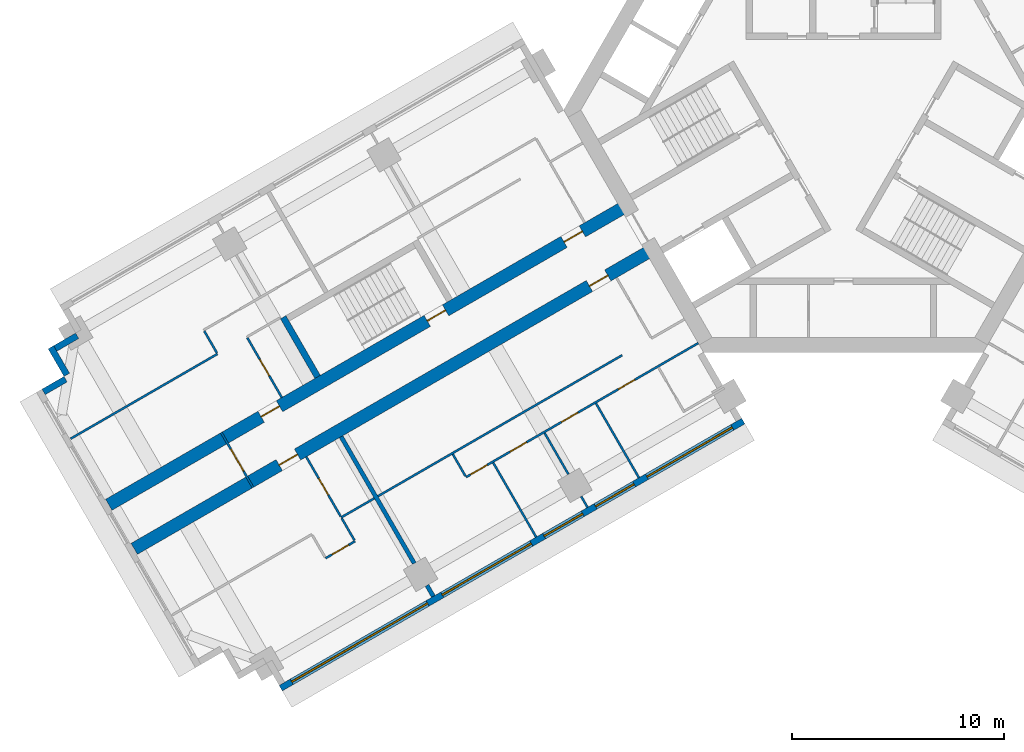
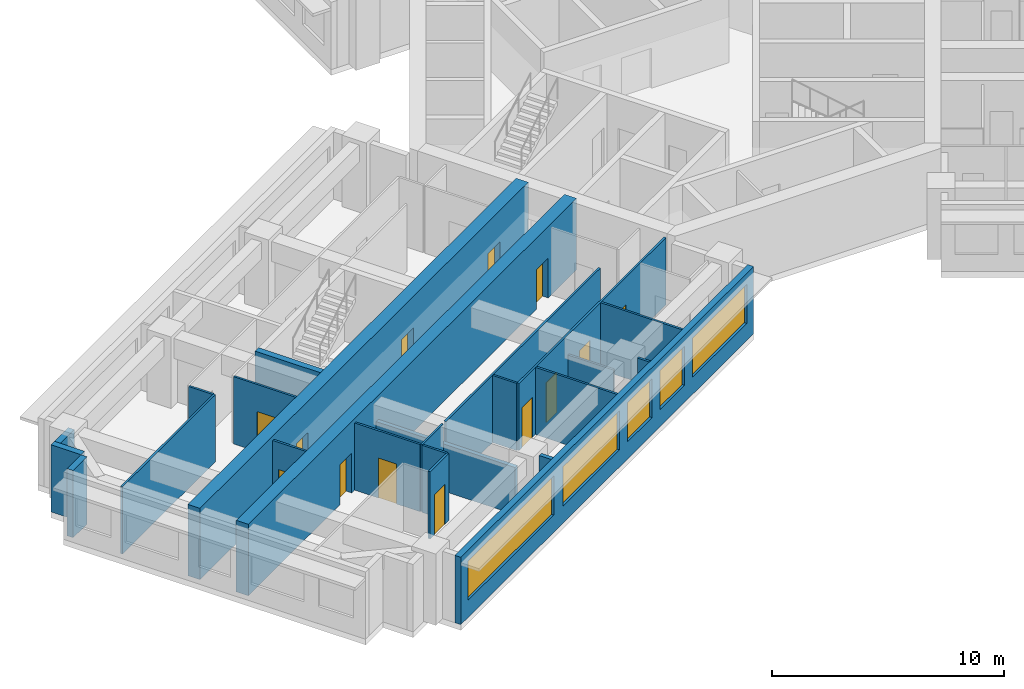
# One storey, part 3 of 12: 24 walls, 13 doors, 5 windows, 18 openings.
"""IFC4 building model written with IfcOpenShell, lengths in metres."""

from ifc_helpers import new_model, si_unit, direction, frame, frame_2d, origin, place, context, subcontext, project, spatial, rectangle, extrude, material, layer, layer_set, type_object, element, fill, save


model = new_model("IFC4")

# Units and contexts
model_context = context("Model", 3, precision=1e-05, world=origin(), true_north=direction((0.0, 1.0)))
body_context = subcontext(model_context, "Body", "Model", "MODEL_VIEW")
ifc_project = project(units=[si_unit("LENGTHUNIT", "METRE"), si_unit("AREAUNIT", "SQUARE_METRE"), si_unit("VOLUMEUNIT", "CUBIC_METRE"), si_unit("PLANEANGLEUNIT", "RADIAN"), si_unit("MASSUNIT", "GRAM", prefix="KILO")], contexts=[model_context])

# Site, building, storey
site_placement = place(None, origin())
site = spatial("IfcSite", under=ifc_project, at=site_placement, CompositionType="ELEMENT")
building_placement = place(site_placement, origin())
building = spatial("IfcBuilding", under=site, at=building_placement, Name="Impinga Residences", CompositionType="ELEMENT")
storey_placement = place(building_placement, frame((0.0, 0.0, 188.5)))
storey = spatial("IfcBuildingStorey", under=building, at=storey_placement, Name="L46", CompositionType="ELEMENT", Elevation=188.5)

# Wall, openings, doors
ifc_material_1 = material(Name="Concrete C60/75", Category="concrete")
ifc_layer_1 = layer(ifc_material_1, 0.60009765625)
ifc_layer_set_1 = layer_set([ifc_layer_1], Name="Concrete C60/75")
wall_type_1 = type_object("IfcWallType", Name="BW3 corridor buttress wall, L46 to L73 600", PredefinedType="SHEAR", material=ifc_layer_set_1)
wall_1_placement = place(storey_placement, frame((-8.996826171875, -6.580078125, 0.0), z_axis=(0.0, 0.0, 1.0), x_axis=(-0.866026415941, -0.499998246889, 0.0)))
wall_1 = element("IfcWall", 1, at=wall_1_placement, inside=storey, type_object=wall_type_1, Name="Corridor wall BW3 WC L46", PredefinedType="SHEAR", context=body_context, shape_type="SweptSolid", body=[
    extrude(rectangle(XDim=28.25, YDim=0.60009765625, at=frame_2d((14.125, 0.0))), origin(), (0.0, 0.0, 1.0), 3.75),
])
opening_1_placement = place(wall_1_placement, frame((2.449951171875, 0.0, 0.0)))
opening_1 = element("IfcOpeningElement", 2, at=opening_1_placement, cuts=wall_1, Name="Opening D1", PredefinedType="OPENING", context=body_context, shape_type="SweptSolid", body=[
    extrude(rectangle(XDim=1.0, YDim=2.10009765625, at=frame_2d((0.5, 1.050048828125))), frame((0.0, 0.31005859375, 0.0), z_axis=(0.0, -1.0, 0.0), x_axis=(1.0, 0.0, 0.0)), (0.0, 0.0, 1.0), 0.6201171875),
])
opening_2_placement = place(wall_1_placement, frame((19.35009765625, 0.0, 0.0)))
opening_2 = element("IfcOpeningElement", 3, at=opening_2_placement, cuts=wall_1, Name="Opening D1", PredefinedType="OPENING", context=body_context, shape_type="SweptSolid", body=[
    extrude(rectangle(XDim=1.0, YDim=2.10009765625, at=frame_2d((0.5, 1.050048828125))), frame((0.0, 0.31005859375, 0.0), z_axis=(0.0, -1.0, 0.0), x_axis=(1.0, 0.0, 0.0)), (0.0, 0.0, 1.0), 0.6201171875),
])
ifc_material_2 = material(Name="Timber door set", Category="wood")
door_type_1 = type_object("IfcDoorType", Name="D1 apartment entrance door 1000x2100", OperationType="SINGLE_SWING_LEFT", PredefinedType="DOOR", material=ifc_material_2)
door_1_placement = place(opening_1_placement, origin())
door_1 = element("IfcDoor", 4, at=door_1_placement, inside=storey, type_object=door_type_1, Name="Apartment L46-WA1 entrance", OperationType="SINGLE_SWING_LEFT", OverallHeight=2.10009765625, OverallWidth=1.0, PredefinedType="DOOR", context=body_context, shape_type="SweptSolid", body=[
    extrude(rectangle(XDim=1.0, YDim=2.10009765625, at=frame_2d((0.5, 1.050048828125))), frame((0.0, 0.02490234375, 0.0), z_axis=(0.0, -1.0, 0.0), x_axis=(1.0, 0.0, 0.0)), (0.0, 0.0, 1.0), 0.050048828125),
])
fill(opening_1, door_1)
door_2_placement = place(opening_2_placement, origin())
door_2 = element("IfcDoor", 5, at=door_2_placement, inside=storey, type_object=door_type_1, Name="Apartment L46-WA2 entrance", OperationType="SINGLE_SWING_RIGHT", OverallHeight=2.10009765625, OverallWidth=1.0, PredefinedType="DOOR", context=body_context, shape_type="SweptSolid", body=[
    extrude(rectangle(XDim=1.0, YDim=2.10009765625, at=frame_2d((0.5, 1.050048828125))), frame((0.0, 0.02490234375, 0.0), z_axis=(0.0, -1.0, 0.0), x_axis=(1.0, 0.0, 0.0)), (0.0, 0.0, 1.0), 0.050048828125),
])
fill(opening_2, door_2)

wall_2_placement = place(storey_placement, frame((-10.19677734375, -4.50146484375, 0.0), z_axis=(0.0, 0.0, 1.0), x_axis=(-0.866026415941, -0.499998246889, 0.0)))
wall_2 = element("IfcWall", 6, at=wall_2_placement, inside=storey, type_object=wall_type_1, Name="Corridor wall BW3 WD L46", PredefinedType="SHEAR", context=body_context, shape_type="SweptSolid", body=[
    extrude(rectangle(XDim=28.25, YDim=0.60009765625, at=frame_2d((14.125, 0.0))), origin(), (0.0, 0.0, 1.0), 3.75),
])
opening_3_placement = place(wall_2_placement, frame((9.89990234375, 0.0, 0.0)))
opening_3 = element("IfcOpeningElement", 7, at=opening_3_placement, cuts=wall_2, Name="Opening D5", PredefinedType="OPENING", context=body_context, shape_type="SweptSolid", body=[
    extrude(rectangle(XDim=1.0, YDim=2.10009765625, at=frame_2d((0.5, 1.050048828125))), frame((0.0, 0.31005859375, 0.0), z_axis=(0.0, -1.0, 0.0), x_axis=(1.0, 0.0, 0.0)), (0.0, 0.0, 1.0), 0.6201171875),
])
opening_4_placement = place(wall_2_placement, frame((2.449951171875, 0.0, 0.0)))
opening_4 = element("IfcOpeningElement", 8, at=opening_4_placement, cuts=wall_2, Name="Opening D1", PredefinedType="OPENING", context=body_context, shape_type="SweptSolid", body=[
    extrude(rectangle(XDim=1.0, YDim=2.10009765625, at=frame_2d((0.5, 1.050048828125))), frame((0.0, 0.31005859375, 0.0), z_axis=(0.0, -1.0, 0.0), x_axis=(1.0, 0.0, 0.0)), (0.0, 0.0, 1.0), 0.6201171875),
])
opening_5_placement = place(wall_2_placement, frame((18.949951171875, 0.0, 0.0)))
opening_5 = element("IfcOpeningElement", 9, at=opening_5_placement, cuts=wall_2, Name="Opening D1", PredefinedType="OPENING", context=body_context, shape_type="SweptSolid", body=[
    extrude(rectangle(XDim=1.0, YDim=2.10009765625, at=frame_2d((0.5, 1.050048828125))), frame((0.0, 0.31005859375, 0.0), z_axis=(0.0, -1.0, 0.0), x_axis=(1.0, 0.0, 0.0)), (0.0, 0.0, 1.0), 0.6201171875),
])
door_3_placement = place(opening_4_placement, origin())
door_3 = element("IfcDoor", 10, at=door_3_placement, inside=storey, type_object=door_type_1, Name="Apartment L46-WF1 entrance", OperationType="SINGLE_SWING_LEFT", OverallHeight=2.10009765625, OverallWidth=1.0, PredefinedType="DOOR", context=body_context, shape_type="SweptSolid", body=[
    extrude(rectangle(XDim=1.0, YDim=2.10009765625, at=frame_2d((0.5, 1.050048828125))), frame((0.0, 0.02490234375, 0.0), z_axis=(0.0, -1.0, 0.0), x_axis=(1.0, 0.0, 0.0)), (0.0, 0.0, 1.0), 0.050048828125),
])
fill(opening_4, door_3)
door_4_placement = place(opening_5_placement, origin())
door_4 = element("IfcDoor", 11, at=door_4_placement, inside=storey, type_object=door_type_1, Name="Apartment L46-WF2 entrance", OperationType="SINGLE_SWING_RIGHT", OverallHeight=2.10009765625, OverallWidth=1.0, PredefinedType="DOOR", context=body_context, shape_type="SweptSolid", body=[
    extrude(rectangle(XDim=1.0, YDim=2.10009765625, at=frame_2d((0.5, 1.050048828125))), frame((0.0, 0.02490234375, 0.0), z_axis=(0.0, -1.0, 0.0), x_axis=(1.0, 0.0, 0.0)), (0.0, 0.0, 1.0), 0.050048828125),
])
fill(opening_5, door_4)
door_type_2 = type_object("IfcDoorType", Name="D5 stair door 1000x2100", OperationType="SINGLE_SWING_LEFT", PredefinedType="DOOR", material=ifc_material_2)
door_5_placement = place(opening_3_placement, origin())
door_5 = element("IfcDoor", 12, at=door_5_placement, inside=storey, type_object=door_type_2, Name="Wing stair door W", OperationType="SINGLE_SWING_LEFT", OverallHeight=2.10009765625, OverallWidth=1.0, PredefinedType="DOOR", context=body_context, shape_type="SweptSolid", body=[
    extrude(rectangle(XDim=1.0, YDim=2.10009765625, at=frame_2d((0.5, 1.050048828125))), frame((0.0, 0.02490234375, 0.0), z_axis=(0.0, -1.0, 0.0), x_axis=(1.0, 0.0, 0.0)), (0.0, 0.0, 1.0), 0.050048828125),
])
fill(opening_3, door_5)

# Wall, opening, door
ifc_material_3 = material(Name="Concrete blockwork", Category="masonry")
ifc_layer_2 = layer(ifc_material_3, 0.10009765625)
ifc_layer_set_2 = layer_set([ifc_layer_2], Name="CP1 core room partition, blockwork 100")
wall_type_2 = type_object("IfcWallType", Name="CP1 core room partition, blockwork 100", PredefinedType="PARTITIONING", material=ifc_layer_set_2)
wall_3_placement = place(storey_placement, frame((-27.856201171875, -17.814697265625, 0.0), z_axis=(0.0, 0.0, 1.0), x_axis=(-0.50002537861, 0.866010750942, 0.0)))
wall_3 = element("IfcWall", 13, at=wall_3_placement, inside=storey, type_object=wall_type_2, Name="Core room partition, blockwork L46:W:LNG", PredefinedType="PARTITIONING", context=body_context, shape_type="SweptSolid", body=[
    extrude(rectangle(XDim=2.999755859375, YDim=0.10009765625, at=frame_2d((1.5, 0.0))), origin(), (0.0, 0.0, 1.0), 3.530029296875),
])
opening_6_placement = place(wall_3_placement, frame((0.89990234375, 0.0, 0.0)))
opening_6 = element("IfcOpeningElement", 14, at=opening_6_placement, cuts=wall_3, Name="Opening D3", PredefinedType="OPENING", context=body_context, shape_type="SweptSolid", body=[
    extrude(rectangle(XDim=1.199951171875, YDim=2.10009765625, at=frame_2d((0.60009765625, 1.050048828125))), frame((0.0, 0.06005859375, 0.0), z_axis=(0.0, -1.0, 0.0), x_axis=(1.0, 0.0, 0.0)), (0.0, 0.0, 1.0), 0.1201171875),
])
door_type_3 = type_object("IfcDoorType", Name="D3 room door, leaf and a half 1200x2100", OperationType="DOUBLE_SWING_LEFT", PredefinedType="DOOR", material=ifc_material_2)
door_6_placement = place(opening_6_placement, origin())
door_6 = element("IfcDoor", 15, at=door_6_placement, inside=storey, type_object=door_type_3, Name="Residents' lounge door W", OperationType="DOUBLE_SWING_LEFT", OverallHeight=2.10009765625, OverallWidth=1.199951171875, PredefinedType="DOOR", context=body_context, shape_type="SweptSolid", body=[
    extrude(rectangle(XDim=1.199951171875, YDim=2.10009765625, at=frame_2d((0.60009765625, 1.050048828125))), frame((0.0, 0.02490234375, 0.0), z_axis=(0.0, -1.0, 0.0), x_axis=(1.0, 0.0, 0.0)), (0.0, 0.0, 1.0), 0.050048828125),
])
fill(opening_6, door_6)

# Walls
ifc_material_4 = material(Name="Terracotta rainscreen on blockwork", Category="masonry")
ifc_layer_3 = layer(ifc_material_4, 0.300048828125)
ifc_layer_set_3 = layer_set([ifc_layer_3], Name="EW1 external wall, terracotta rainscreen on blockwork 300")
wall_type_3 = type_object("IfcWallType", Name="EW1 external wall, terracotta rainscreen on blockwork 300", PredefinedType="SOLIDWALL", material=ifc_layer_set_3)
wall_4_placement = place(storey_placement, frame((-37.737060546875, -13.300537109375, 0.0), z_axis=(0.0, 0.0, 1.0), x_axis=(0.865971243484, 0.500093796661, 0.0)))
element("IfcWall", 16, at=wall_4_placement, inside=storey, type_object=wall_type_3, Name="External wall EW1 L46", PredefinedType="SOLIDWALL", context=body_context, shape_type="SweptSolid", body=[
    extrude(rectangle(XDim=1.195068359375, YDim=0.300048828125, at=frame_2d((0.59765625, 0.0))), origin(), (0.0, 0.0, 1.0), 3.530029296875),
])
wall_5_placement = place(storey_placement, frame((-36.64306640625, -12.49560546875, 0.0), z_axis=(0.0, 0.0, 1.0), x_axis=(-0.499990139034, 0.866031096941, 0.0)))
element("IfcWall", 17, at=wall_5_placement, inside=storey, type_object=wall_type_3, Name="External wall EW1 L46", PredefinedType="SOLIDWALL", context=body_context, shape_type="SweptSolid", body=[
    extrude(rectangle(XDim=1.5, YDim=0.300048828125, at=frame_2d((0.75, 0.0))), origin(), (0.0, 0.0, 1.0), 3.530029296875),
])
wall_6_placement = place(storey_placement, frame((-37.18798828125, -11.25146484375, 0.0), z_axis=(0.0, 0.0, 1.0), x_axis=(0.866059708757, 0.499940577336, 0.0)))
element("IfcWall", 18, at=wall_6_placement, inside=storey, type_object=wall_type_3, Name="External wall EW1 L46", PredefinedType="SOLIDWALL", context=body_context, shape_type="SweptSolid", body=[
    extrude(rectangle(XDim=1.195068359375, YDim=0.300048828125, at=frame_2d((0.59765625, 0.0))), origin(), (0.0, 0.0, 1.0), 3.530029296875),
])

# Wall, openings, windows
wall_7_placement = place(storey_placement, frame((-4.72509765625, -14.67919921875, 0.0), z_axis=(0.0, 0.0, 1.0), x_axis=(-0.866026832479, -0.499997525421, 0.0)))
wall_7 = element("IfcWall", 19, at=wall_7_placement, inside=storey, type_object=wall_type_3, Name="External wall EW1 L46", PredefinedType="SOLIDWALL", context=body_context, shape_type="SweptSolid", body=[
    extrude(rectangle(XDim=25.199951171875, YDim=0.300048828125, at=frame_2d((12.60009765625, 0.0))), origin(), (0.0, 0.0, 1.0), 3.530029296875),
])
opening_7_placement = place(wall_7_placement, frame((0.60009765625, 0.0, 0.89990234375)))
opening_7 = element("IfcOpeningElement", 20, at=opening_7_placement, cuts=wall_7, Name="Opening W10", PredefinedType="OPENING", context=body_context, shape_type="SweptSolid", body=[
    extrude(rectangle(XDim=4.64990234375, YDim=2.050048828125, at=frame_2d((2.324951171875, 1.02490234375))), frame((0.0, 0.159912109375, 0.0), z_axis=(0.0, -1.0, 0.0), x_axis=(1.0, 0.0, 0.0)), (0.0, 0.0, 1.0), 0.320068359375),
])
opening_8_placement = place(wall_7_placement, frame((5.949951171875, 0.0, 0.89990234375)))
opening_8 = element("IfcOpeningElement", 21, at=opening_8_placement, cuts=wall_7, Name="Opening W9", PredefinedType="OPENING", context=body_context, shape_type="SweptSolid", body=[
    extrude(rectangle(XDim=2.10009765625, YDim=2.050048828125, at=frame_2d((1.050048828125, 1.02490234375))), frame((0.0, 0.159912109375, 0.0), z_axis=(0.0, -1.0, 0.0), x_axis=(1.0, 0.0, 0.0)), (0.0, 0.0, 1.0), 0.320068359375),
])
opening_9_placement = place(wall_7_placement, frame((8.75, 0.0, 0.89990234375)))
opening_9 = element("IfcOpeningElement", 22, at=opening_9_placement, cuts=wall_7, Name="Opening W9", PredefinedType="OPENING", context=body_context, shape_type="SweptSolid", body=[
    extrude(rectangle(XDim=2.10009765625, YDim=2.050048828125, at=frame_2d((1.050048828125, 1.02490234375))), frame((0.0, 0.159912109375, 0.0), z_axis=(0.0, -1.0, 0.0), x_axis=(1.0, 0.0, 0.0)), (0.0, 0.0, 1.0), 0.320068359375),
])
opening_10_placement = place(wall_7_placement, frame((11.550048828125, 0.0, 0.89990234375)))
opening_10 = element("IfcOpeningElement", 23, at=opening_10_placement, cuts=wall_7, Name="Opening W6", PredefinedType="OPENING", context=body_context, shape_type="SweptSolid", body=[
    extrude(rectangle(XDim=4.85009765625, YDim=2.050048828125, at=frame_2d((2.425048828125, 1.02490234375))), frame((0.0, 0.159912109375, 0.0), z_axis=(0.0, -1.0, 0.0), x_axis=(1.0, 0.0, 0.0)), (0.0, 0.0, 1.0), 0.320068359375),
])
opening_11_placement = place(wall_7_placement, frame((17.199951171875, 0.0, 0.89990234375)))
opening_11 = element("IfcOpeningElement", 24, at=opening_11_placement, cuts=wall_7, Name="Opening W12", PredefinedType="OPENING", context=body_context, shape_type="SweptSolid", body=[
    extrude(rectangle(XDim=7.39990234375, YDim=2.050048828125, at=frame_2d((3.699951171875, 1.02490234375))), frame((0.0, 0.159912109375, 0.0), z_axis=(0.0, -1.0, 0.0), x_axis=(1.0, 0.0, 0.0)), (0.0, 0.0, 1.0), 0.320068359375),
])
ifc_material_5 = material(Name="Aluminium window, clear double glazing", Category="aluminium")
window_type_1 = type_object("IfcWindowType", Name="W10 ribbon window 4650x2050", PartitioningType="SINGLE_PANEL", PredefinedType="WINDOW", material=ifc_material_5)
window_1_placement = place(opening_7_placement, origin())
window_1 = element("IfcWindow", 25, at=window_1_placement, inside=storey, type_object=window_type_1, Name="Window L46", OverallHeight=2.050048828125, OverallWidth=4.64990234375, PartitioningType="SINGLE_PANEL", PredefinedType="WINDOW", context=body_context, shape_type="SweptSolid", body=[
    extrude(rectangle(XDim=4.64990234375, YDim=2.050048828125, at=frame_2d((2.324951171875, 1.02490234375))), frame((0.0, 0.030029296875, 0.0), z_axis=(0.0, -1.0, 0.0), x_axis=(1.0, 0.0, 0.0)), (0.0, 0.0, 1.0), 0.06005859375),
])
fill(opening_7, window_1)
window_type_2 = type_object("IfcWindowType", Name="W12 ribbon window 7400x2050", PartitioningType="SINGLE_PANEL", PredefinedType="WINDOW", material=ifc_material_5)
window_2_placement = place(opening_11_placement, origin())
window_2 = element("IfcWindow", 26, at=window_2_placement, inside=storey, type_object=window_type_2, Name="Window L46", OverallHeight=2.050048828125, OverallWidth=7.39990234375, PartitioningType="SINGLE_PANEL", PredefinedType="WINDOW", context=body_context, shape_type="SweptSolid", body=[
    extrude(rectangle(XDim=7.39990234375, YDim=2.050048828125, at=frame_2d((3.699951171875, 1.02490234375))), frame((0.0, 0.030029296875, 0.0), z_axis=(0.0, -1.0, 0.0), x_axis=(1.0, 0.0, 0.0)), (0.0, 0.0, 1.0), 0.06005859375),
])
fill(opening_11, window_2)
window_type_3 = type_object("IfcWindowType", Name="W6 ribbon window 4850x2050", PartitioningType="SINGLE_PANEL", PredefinedType="WINDOW", material=ifc_material_5)
window_3_placement = place(opening_10_placement, origin())
window_3 = element("IfcWindow", 27, at=window_3_placement, inside=storey, type_object=window_type_3, Name="Window L46", OverallHeight=2.050048828125, OverallWidth=4.85009765625, PartitioningType="SINGLE_PANEL", PredefinedType="WINDOW", context=body_context, shape_type="SweptSolid", body=[
    extrude(rectangle(XDim=4.85009765625, YDim=2.050048828125, at=frame_2d((2.425048828125, 1.02490234375))), frame((0.0, 0.030029296875, 0.0), z_axis=(0.0, -1.0, 0.0), x_axis=(1.0, 0.0, 0.0)), (0.0, 0.0, 1.0), 0.06005859375),
])
fill(opening_10, window_3)
window_type_4 = type_object("IfcWindowType", Name="W9 ribbon window 2100x2050", PartitioningType="SINGLE_PANEL", PredefinedType="WINDOW", material=ifc_material_5)
window_4_placement = place(opening_8_placement, origin())
window_4 = element("IfcWindow", 28, at=window_4_placement, inside=storey, type_object=window_type_4, Name="Window L46", OverallHeight=2.050048828125, OverallWidth=2.10009765625, PartitioningType="SINGLE_PANEL", PredefinedType="WINDOW", context=body_context, shape_type="SweptSolid", body=[
    extrude(rectangle(XDim=2.10009765625, YDim=2.050048828125, at=frame_2d((1.050048828125, 1.02490234375))), frame((0.0, 0.030029296875, 0.0), z_axis=(0.0, -1.0, 0.0), x_axis=(1.0, 0.0, 0.0)), (0.0, 0.0, 1.0), 0.06005859375),
])
fill(opening_8, window_4)
window_5_placement = place(opening_9_placement, origin())
window_5 = element("IfcWindow", 29, at=window_5_placement, inside=storey, type_object=window_type_4, Name="Window L46", OverallHeight=2.050048828125, OverallWidth=2.10009765625, PartitioningType="SINGLE_PANEL", PredefinedType="WINDOW", context=body_context, shape_type="SweptSolid", body=[
    extrude(rectangle(XDim=2.10009765625, YDim=2.050048828125, at=frame_2d((1.050048828125, 1.02490234375))), frame((0.0, 0.030029296875, 0.0), z_axis=(0.0, -1.0, 0.0), x_axis=(1.0, 0.0, 0.0)), (0.0, 0.0, 1.0), 0.06005859375),
])
fill(opening_9, window_5)

# Wall
ifc_material_6 = material(Name="Gypsum board on steel studs", Category="steel")
ifc_layer_4 = layer(ifc_material_6, 0.10009765625)
ifc_layer_set_4 = layer_set([ifc_layer_4], Name="Gypsum board on steel studs")
wall_type_4 = type_object("IfcWallType", Name="IP1 partition 100", PredefinedType="PARTITIONING", material=ifc_layer_set_4)
wall_8_placement = place(storey_placement, frame((-10.444580078125, -11.57275390625, 0.0), z_axis=(0.0, 0.0, 1.0), x_axis=(-0.866027239912, -0.49999681972, 0.0)))
element("IfcWall", 30, at=wall_8_placement, inside=storey, type_object=wall_type_4, Name="Partition L46-WA1:DIV1", PredefinedType="PARTITIONING", context=body_context, shape_type="SweptSolid", body=[
    extrude(rectangle(XDim=13.2998046875, YDim=0.10009765625, at=frame_2d((6.64990234375, 0.0))), origin(), (0.0, 0.0, 1.0), 3.530029296875),
])

# Wall, openings, doors
wall_9_placement = place(storey_placement, frame((-6.85009765625, -10.99853515625, 0.0), z_axis=(0.0, 0.0, 1.0), x_axis=(-0.866024244478, -0.500002007972, 0.0)))
wall_9 = element("IfcWall", 31, at=wall_9_placement, inside=storey, type_object=wall_type_4, Name="Partition L46-WA1:STRIP", PredefinedType="PARTITIONING", context=body_context, shape_type="SweptSolid", body=[
    extrude(rectangle(XDim=12.64990234375, YDim=0.10009765625, at=frame_2d((6.324951171875, 0.0))), origin(), (0.0, 0.0, 1.0), 3.530029296875),
])
opening_12_placement = place(wall_9_placement, frame((3.449951171875, 0.0, 0.0)))
opening_12 = element("IfcOpeningElement", 32, at=opening_12_placement, cuts=wall_9, Name="Opening D2", PredefinedType="OPENING", context=body_context, shape_type="SweptSolid", body=[
    extrude(rectangle(XDim=0.89990234375, YDim=2.10009765625, at=frame_2d((0.449951171875, 1.050048828125))), frame((0.0, 0.06005859375, 0.0), z_axis=(0.0, -1.0, 0.0), x_axis=(1.0, 0.0, 0.0)), (0.0, 0.0, 1.0), 0.1201171875),
])
opening_13_placement = place(wall_9_placement, frame((6.550048828125, 0.0, 0.0)))
opening_13 = element("IfcOpeningElement", 33, at=opening_13_placement, cuts=wall_9, Name="Opening D2", PredefinedType="OPENING", context=body_context, shape_type="SweptSolid", body=[
    extrude(rectangle(XDim=0.89990234375, YDim=2.10009765625, at=frame_2d((0.449951171875, 1.050048828125))), frame((0.0, 0.06005859375, 0.0), z_axis=(0.0, -1.0, 0.0), x_axis=(1.0, 0.0, 0.0)), (0.0, 0.0, 1.0), 0.1201171875),
])
opening_14_placement = place(wall_9_placement, frame((9.35009765625, 0.0, 0.0)))
opening_14 = element("IfcOpeningElement", 34, at=opening_14_placement, cuts=wall_9, Name="Opening D2", PredefinedType="OPENING", context=body_context, shape_type="SweptSolid", body=[
    extrude(rectangle(XDim=0.89990234375, YDim=2.10009765625, at=frame_2d((0.449951171875, 1.050048828125))), frame((0.0, 0.06005859375, 0.0), z_axis=(0.0, -1.0, 0.0), x_axis=(1.0, 0.0, 0.0)), (0.0, 0.0, 1.0), 0.1201171875),
])
opening_15_placement = place(wall_9_placement, frame((11.5, 0.0, 0.0)))
opening_15 = element("IfcOpeningElement", 35, at=opening_15_placement, cuts=wall_9, Name="Opening D2", PredefinedType="OPENING", context=body_context, shape_type="SweptSolid", body=[
    extrude(rectangle(XDim=0.89990234375, YDim=2.10009765625, at=frame_2d((0.449951171875, 1.050048828125))), frame((0.0, 0.06005859375, 0.0), z_axis=(0.0, -1.0, 0.0), x_axis=(1.0, 0.0, 0.0)), (0.0, 0.0, 1.0), 0.1201171875),
])
door_type_4 = type_object("IfcDoorType", Name="D2 internal door 900x2100", OperationType="SINGLE_SWING_LEFT", PredefinedType="DOOR", material=ifc_material_2)
door_7_placement = place(opening_12_placement, origin())
door_7 = element("IfcDoor", 36, at=door_7_placement, inside=storey, type_object=door_type_4, Name="Apartment L46-WA1 room door", OperationType="SINGLE_SWING_LEFT", OverallHeight=2.10009765625, OverallWidth=0.89990234375, PredefinedType="DOOR", context=body_context, shape_type="SweptSolid", body=[
    extrude(rectangle(XDim=0.89990234375, YDim=2.10009765625, at=frame_2d((0.449951171875, 1.050048828125))), frame((0.0, 0.02490234375, 0.0), z_axis=(0.0, -1.0, 0.0), x_axis=(1.0, 0.0, 0.0)), (0.0, 0.0, 1.0), 0.050048828125),
])
fill(opening_12, door_7)
door_8_placement = place(opening_13_placement, origin())
door_8 = element("IfcDoor", 37, at=door_8_placement, inside=storey, type_object=door_type_4, Name="Apartment L46-WA1 room door", OperationType="SINGLE_SWING_RIGHT", OverallHeight=2.10009765625, OverallWidth=0.89990234375, PredefinedType="DOOR", context=body_context, shape_type="SweptSolid", body=[
    extrude(rectangle(XDim=0.89990234375, YDim=2.10009765625, at=frame_2d((0.449951171875, 1.050048828125))), frame((0.0, 0.02490234375, 0.0), z_axis=(0.0, -1.0, 0.0), x_axis=(1.0, 0.0, 0.0)), (0.0, 0.0, 1.0), 0.050048828125),
])
fill(opening_13, door_8)
door_9_placement = place(opening_14_placement, origin())
door_9 = element("IfcDoor", 38, at=door_9_placement, inside=storey, type_object=door_type_4, Name="Apartment L46-WA1 room door", OperationType="SINGLE_SWING_RIGHT", OverallHeight=2.10009765625, OverallWidth=0.89990234375, PredefinedType="DOOR", context=body_context, shape_type="SweptSolid", body=[
    extrude(rectangle(XDim=0.89990234375, YDim=2.10009765625, at=frame_2d((0.449951171875, 1.050048828125))), frame((0.0, 0.02490234375, 0.0), z_axis=(0.0, -1.0, 0.0), x_axis=(1.0, 0.0, 0.0)), (0.0, 0.0, 1.0), 0.050048828125),
])
fill(opening_14, door_9)
door_10_placement = place(opening_15_placement, origin())
door_10 = element("IfcDoor", 39, at=door_10_placement, inside=storey, type_object=door_type_4, Name="Apartment L46-WA1 room door", OperationType="SINGLE_SWING_RIGHT", OverallHeight=2.10009765625, OverallWidth=0.89990234375, PredefinedType="DOOR", context=body_context, shape_type="SweptSolid", body=[
    extrude(rectangle(XDim=0.89990234375, YDim=2.10009765625, at=frame_2d((0.449951171875, 1.050048828125))), frame((0.0, 0.02490234375, 0.0), z_axis=(0.0, -1.0, 0.0), x_axis=(1.0, 0.0, 0.0)), (0.0, 0.0, 1.0), 0.050048828125),
])
fill(opening_15, door_10)

# Walls
wall_10_placement = place(storey_placement, frame((-18.43017578125, -16.240966796875, 0.0), z_axis=(0.0, 0.0, 1.0), x_axis=(0.499880961361, -0.866094119867, 0.0)))
element("IfcWall", 40, at=wall_10_placement, inside=storey, type_object=wall_type_4, Name="Partition L46-WA1:SE1", PredefinedType="PARTITIONING", context=body_context, shape_type="SweptSolid", body=[
    extrude(rectangle(XDim=1.199951171875, YDim=0.10009765625, at=frame_2d((0.60009765625, 0.0))), origin(), (0.0, 0.0, 1.0), 3.530029296875),
])
wall_11_placement = place(storey_placement, frame((-11.6748046875, -13.841796875, 0.0), z_axis=(0.0, 0.0, 1.0), x_axis=(0.500035537042, -0.866004885491, 0.0)))
element("IfcWall", 41, at=wall_11_placement, inside=storey, type_object=wall_type_4, Name="Partition L46-WA1:OB1", PredefinedType="PARTITIONING", context=body_context, shape_type="SweptSolid", body=[
    extrude(rectangle(XDim=4.050048828125, YDim=0.10009765625, at=frame_2d((2.02490234375, 0.0))), origin(), (0.0, 0.0, 1.0), 3.530029296875),
])
wall_12_placement = place(storey_placement, frame((-14.099609375, -15.241943359375, 0.0), z_axis=(0.0, 0.0, 1.0), x_axis=(0.500013631625, -0.866017533419, 0.0)))
element("IfcWall", 42, at=wall_12_placement, inside=storey, type_object=wall_type_4, Name="Partition L46-WA1:OB2", PredefinedType="PARTITIONING", context=body_context, shape_type="SweptSolid", body=[
    extrude(rectangle(XDim=2.25, YDim=0.10009765625, at=frame_2d((1.125, 0.0))), origin(), (0.0, 0.0, 1.0), 2.47998046875),
])
wall_13_placement = place(storey_placement, frame((-12.37451171875, -18.2294921875, 0.0), z_axis=(0.0, 0.0, 1.0), x_axis=(0.499640263761, -0.866232998003, 0.0)))
element("IfcWall", 43, at=wall_13_placement, inside=storey, type_object=wall_type_4, Name="Partition L46-WA1:OB2b", PredefinedType="PARTITIONING", context=body_context, shape_type="SweptSolid", body=[
    extrude(rectangle(XDim=0.60009765625, YDim=0.10009765625, at=frame_2d((0.300048828125, 0.0))), origin(), (0.0, 0.0, 1.0), 3.530029296875),
])
wall_14_placement = place(storey_placement, frame((-16.5244140625, -16.641845703125, 0.0), z_axis=(0.0, 0.0, 1.0), x_axis=(0.499990325971, -0.866030989016, 0.0)))
element("IfcWall", 44, at=wall_14_placement, inside=storey, type_object=wall_type_4, Name="Partition L46-WA1:OB3", PredefinedType="PARTITIONING", context=body_context, shape_type="SweptSolid", body=[
    extrude(rectangle(XDim=4.0498046875, YDim=0.10009765625, at=frame_2d((2.02490234375, 0.0))), origin(), (0.0, 0.0, 1.0), 3.530029296875),
])
wall_15_placement = place(storey_placement, frame((-22.1357421875, -18.32275390625, 0.0), z_axis=(0.0, 0.0, 1.0), x_axis=(-0.866047807691, -0.499961193289, 0.0)))
element("IfcWall", 45, at=wall_15_placement, inside=storey, type_object=wall_type_4, Name="Partition L46-WA2:DIV0", PredefinedType="PARTITIONING", context=body_context, shape_type="SweptSolid", body=[
    extrude(rectangle(XDim=1.800048828125, YDim=0.10009765625, at=frame_2d((0.89990234375, 0.0))), origin(), (0.0, 0.0, 1.0), 3.530029296875),
])

# Wall, opening, door
wall_16_placement = place(storey_placement, frame((-23.044677734375, -20.3486328125, 0.0), z_axis=(0.0, 0.0, 1.0), x_axis=(-0.866094119867, -0.499880961361, 0.0)))
wall_16 = element("IfcWall", 46, at=wall_16_placement, inside=storey, type_object=wall_type_4, Name="Partition L46-WA2:STRIP", PredefinedType="PARTITIONING", context=body_context, shape_type="SweptSolid", body=[
    extrude(rectangle(XDim=1.60009765625, YDim=0.10009765625, at=frame_2d((0.800048828125, 0.0))), origin(), (0.0, 0.0, 1.0), 3.530029296875),
])
opening_16_placement = place(wall_16_placement, frame((0.35009765625, 0.0, 0.0)))
opening_16 = element("IfcOpeningElement", 47, at=opening_16_placement, cuts=wall_16, Name="Opening D2", PredefinedType="OPENING", context=body_context, shape_type="SweptSolid", body=[
    extrude(rectangle(XDim=0.89990234375, YDim=2.10009765625, at=frame_2d((0.449951171875, 1.050048828125))), frame((0.0, 0.06005859375, 0.0), z_axis=(0.0, -1.0, 0.0), x_axis=(1.0, 0.0, 0.0)), (0.0, 0.0, 1.0), 0.1201171875),
])
door_11_placement = place(opening_16_placement, origin())
door_11 = element("IfcDoor", 48, at=door_11_placement, inside=storey, type_object=door_type_4, Name="Apartment L46-WA2 room door", OperationType="SINGLE_SWING_LEFT", OverallHeight=2.10009765625, OverallWidth=0.89990234375, PredefinedType="DOOR", context=body_context, shape_type="SweptSolid", body=[
    extrude(rectangle(XDim=0.89990234375, YDim=2.10009765625, at=frame_2d((0.449951171875, 1.050048828125))), frame((0.0, 0.02490234375, 0.0), z_axis=(0.0, -1.0, 0.0), x_axis=(1.0, 0.0, 0.0)), (0.0, 0.0, 1.0), 0.050048828125),
])
fill(opening_16, door_11)

# Wall
wall_17_placement = place(storey_placement, frame((-23.669677734375, -19.265869140625, 0.0), z_axis=(0.0, 0.0, 1.0), x_axis=(0.500033551112, -0.866006032174, 0.0)))
element("IfcWall", 49, at=wall_17_placement, inside=storey, type_object=wall_type_4, Name="Partition L46-WA2:SE0", PredefinedType="PARTITIONING", context=body_context, shape_type="SweptSolid", body=[
    extrude(rectangle(XDim=1.2001953125, YDim=0.10009765625, at=frame_2d((0.60009765625, 0.0))), origin(), (0.0, 0.0, 1.0), 3.530029296875),
])

# Wall, opening, door
wall_18_placement = place(storey_placement, frame((-25.3447265625, -16.36474609375, 0.0), z_axis=(0.0, 0.0, 1.0), x_axis=(0.499984717929, -0.866034226713, 0.0)))
wall_18 = element("IfcWall", 50, at=wall_18_placement, inside=storey, type_object=wall_type_4, Name="Partition L46-WA2:IB1", PredefinedType="PARTITIONING", context=body_context, shape_type="SweptSolid", body=[
    extrude(rectangle(XDim=3.25, YDim=0.10009765625, at=frame_2d((1.625, 0.0))), origin(), (0.0, 0.0, 1.0), 3.530029296875),
])
opening_17_placement = place(wall_18_placement, frame((1.175048828125, 0.0, 0.0)))
opening_17 = element("IfcOpeningElement", 51, at=opening_17_placement, cuts=wall_18, Name="Opening D2", PredefinedType="OPENING", context=body_context, shape_type="SweptSolid", body=[
    extrude(rectangle(XDim=0.89990234375, YDim=2.10009765625, at=frame_2d((0.449951171875, 1.050048828125))), frame((0.0, 0.06005859375, 0.0), z_axis=(0.0, -1.0, 0.0), x_axis=(1.0, 0.0, 0.0)), (0.0, 0.0, 1.0), 0.1201171875),
])
door_12_placement = place(opening_17_placement, origin())
door_12 = element("IfcDoor", 52, at=door_12_placement, inside=storey, type_object=door_type_4, Name="Apartment L46-WA2 bathroom door", OperationType="SINGLE_SWING_LEFT", OverallHeight=2.10009765625, OverallWidth=0.89990234375, PredefinedType="DOOR", context=body_context, shape_type="SweptSolid", body=[
    extrude(rectangle(XDim=0.89990234375, YDim=2.10009765625, at=frame_2d((0.449951171875, 1.050048828125))), frame((0.0, 0.02490234375, 0.0), z_axis=(0.0, -1.0, 0.0), x_axis=(1.0, 0.0, 0.0)), (0.0, 0.0, 1.0), 0.050048828125),
])
fill(opening_17, door_12)

# Walls
wall_19_placement = place(storey_placement, frame((-29.533935546875, -11.5087890625, 0.0), z_axis=(0.0, 0.0, 1.0), x_axis=(-0.866026010844, -0.49999894854, 0.0)))
element("IfcWall", 53, at=wall_19_placement, inside=storey, type_object=wall_type_4, Name="Partition L46-WF2:DIV1", PredefinedType="PARTITIONING", context=body_context, shape_type="SweptSolid", body=[
    extrude(rectangle(XDim=8.0, YDim=0.10009765625, at=frame_2d((4.0, 0.0))), origin(), (0.0, 0.0, 1.0), 3.530029296875),
])
wall_20_placement = place(storey_placement, frame((-29.558837890625, -11.465576171875, 0.0), z_axis=(0.0, 0.0, 1.0), x_axis=(-0.500033551112, 0.866006032174, 0.0)))
element("IfcWall", 54, at=wall_20_placement, inside=storey, type_object=wall_type_4, Name="Partition L46-WF2:SE1", PredefinedType="PARTITIONING", context=body_context, shape_type="SweptSolid", body=[
    extrude(rectangle(XDim=1.2001953125, YDim=0.10009765625, at=frame_2d((0.60009765625, 0.0))), origin(), (0.0, 0.0, 1.0), 3.530029296875),
])

# Wall, opening, door
wall_21_placement = place(storey_placement, frame((-26.498291015625, -13.566650390625, 0.0), z_axis=(0.0, 0.0, 1.0), x_axis=(-0.500017246033, 0.866015446554, 0.0)))
wall_21 = element("IfcWall", 55, at=wall_21_placement, inside=storey, type_object=wall_type_4, Name="Partition L46-WF2:IB1", PredefinedType="PARTITIONING", context=body_context, shape_type="SweptSolid", body=[
    extrude(rectangle(XDim=3.25, YDim=0.10009765625, at=frame_2d((1.625, 0.0))), origin(), (0.0, 0.0, 1.0), 3.530029296875),
])
opening_18_placement = place(wall_21_placement, frame((1.175048828125, 0.0, 0.0)))
opening_18 = element("IfcOpeningElement", 56, at=opening_18_placement, cuts=wall_21, Name="Opening D2", PredefinedType="OPENING", context=body_context, shape_type="SweptSolid", body=[
    extrude(rectangle(XDim=0.89990234375, YDim=2.10009765625, at=frame_2d((0.449951171875, 1.050048828125))), frame((0.0, 0.06005859375, 0.0), z_axis=(0.0, -1.0, 0.0), x_axis=(1.0, 0.0, 0.0)), (0.0, 0.0, 1.0), 0.1201171875),
])
door_13_placement = place(opening_18_placement, origin())
door_13 = element("IfcDoor", 57, at=door_13_placement, inside=storey, type_object=door_type_4, Name="Apartment L46-WF2 bathroom door", OperationType="SINGLE_SWING_LEFT", OverallHeight=2.10009765625, OverallWidth=0.89990234375, PredefinedType="DOOR", context=body_context, shape_type="SweptSolid", body=[
    extrude(rectangle(XDim=0.89990234375, YDim=2.10009765625, at=frame_2d((0.449951171875, 1.050048828125))), frame((0.0, 0.02490234375, 0.0), z_axis=(0.0, -1.0, 0.0), x_axis=(1.0, 0.0, 0.0)), (0.0, 0.0, 1.0), 0.050048828125),
])
fill(opening_18, door_13)

# Walls
ifc_layer_5 = layer(ifc_material_3, 0.199951171875)
ifc_layer_set_5 = layer_set([ifc_layer_5], Name="PW1 party wall between apartments 200")
wall_type_5 = type_object("IfcWallType", Name="PW1 party wall between apartments 200", PredefinedType="SOLIDWALL", material=ifc_layer_set_5)
wall_22_placement = place(storey_placement, frame((-23.69921875, -15.414794921875, 0.0), z_axis=(0.0, 0.0, 1.0), x_axis=(0.499994024137, -0.866028853923, 0.0)))
element("IfcWall", 58, at=wall_22_placement, inside=storey, type_object=wall_type_5, Name="Party wall between apartments L46-WA1:PARTY", PredefinedType="SOLIDWALL", context=body_context, shape_type="SweptSolid", body=[
    extrude(rectangle(XDim=6.89990234375, YDim=0.199951171875, at=frame_2d((3.449951171875, 0.0))), origin(), (0.0, 0.0, 1.0), 2.47998046875),
])
wall_23_placement = place(storey_placement, frame((-19.649169921875, -22.4296875, 0.0), z_axis=(0.0, 0.0, 1.0), x_axis=(0.50012165622, -0.865955154139, 0.0)))
element("IfcWall", 59, at=wall_23_placement, inside=storey, type_object=wall_type_5, Name="Party wall between apartments L46-WA1:PARTYb", PredefinedType="SOLIDWALL", context=body_context, shape_type="SweptSolid", body=[
    extrude(rectangle(XDim=0.599853515625, YDim=0.199951171875, at=frame_2d((0.2998046875, 0.0))), origin(), (0.0, 0.0, 1.0), 3.530029296875),
])
ifc_layer_6 = layer(ifc_material_1, 0.300048828125)
ifc_layer_set_6 = layer_set([ifc_layer_6], Name="Concrete C60/75")
wall_type_6 = type_object("IfcWallType", Name="SE1 wing stair enclosure wall 300", PredefinedType="SOLIDWALL", material=ifc_layer_set_6)
wall_24_placement = place(storey_placement, frame((-24.8095703125, -12.591796875, 0.0), z_axis=(0.0, 0.0, 1.0), x_axis=(-0.499984717929, 0.866034226713, 0.0)))
element("IfcWall", 60, at=wall_24_placement, inside=storey, type_object=wall_type_6, Name="Stair enclosure wall SE1 W END1 L46", PredefinedType="SOLIDWALL", context=body_context, shape_type="SweptSolid", body=[
    extrude(rectangle(XDim=3.25, YDim=0.300048828125, at=frame_2d((1.625, 0.0))), origin(), (0.0, 0.0, 1.0), 3.75),
])

save(model, "model.ifc")
